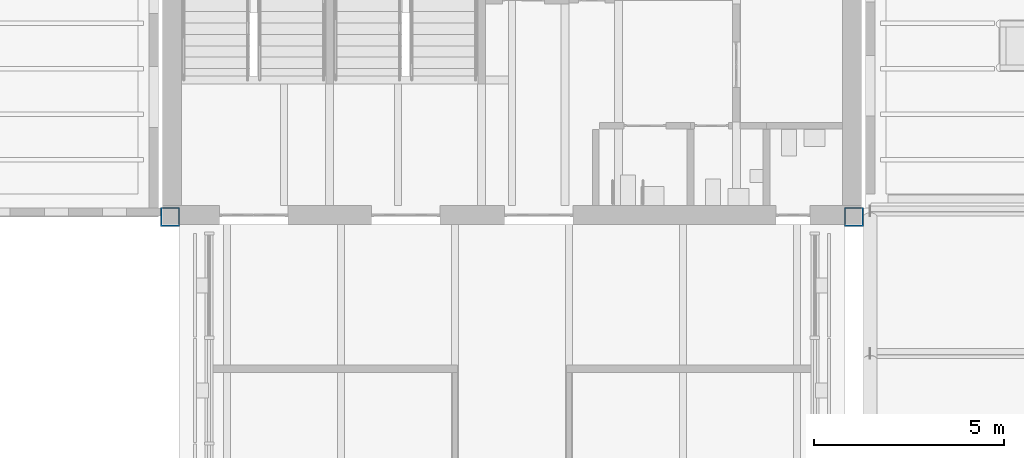
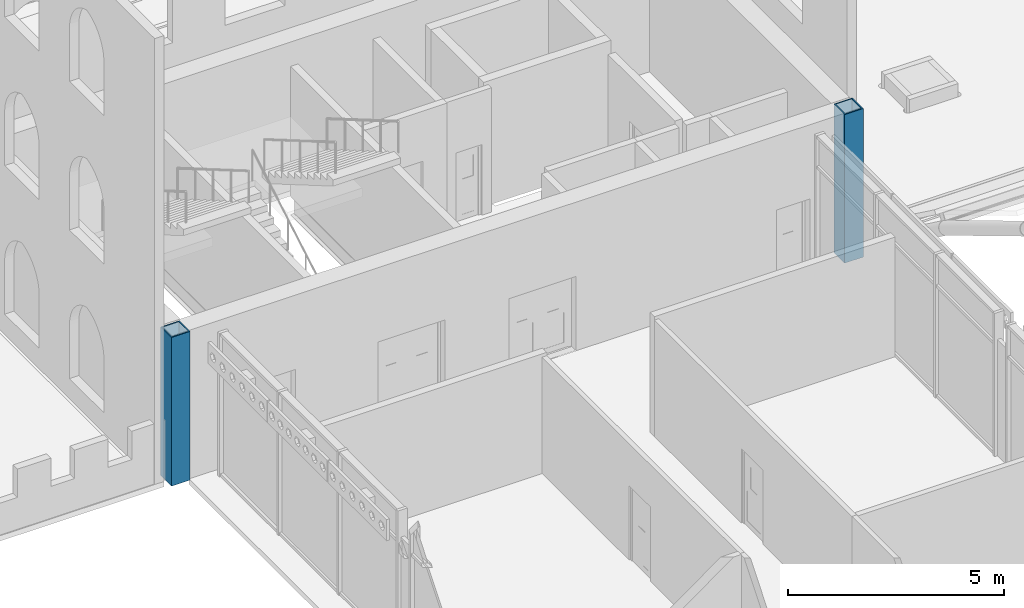
# One storey, part 7 of 153: 2 columns.
"""IFC4 building model written with IfcOpenShell, lengths in metres."""

from ifc_helpers import new_model, si_unit, direction, frame, origin, origin_2d, place, context, subcontext, project, spatial, hollow_rectangle, extrude, material, material_profile, profile_set, type_object, element, save


model = new_model("IFC4")

# Units and contexts
model_context = context("Model", 3, precision=1e-05, world=origin(), true_north=direction((0.0, 1.0)))
body_context = subcontext(model_context, "Body", "Model", "MODEL_VIEW")
ifc_project = project(units=[si_unit("LENGTHUNIT", "METRE"), si_unit("AREAUNIT", "SQUARE_METRE"), si_unit("VOLUMEUNIT", "CUBIC_METRE"), si_unit("PLANEANGLEUNIT", "RADIAN"), si_unit("MASSUNIT", "GRAM", prefix="KILO")], contexts=[model_context])

# Site, building, storey
site_placement = place(None, origin())
site = spatial("IfcSite", under=ifc_project, at=site_placement, CompositionType="ELEMENT")
building_placement = place(site_placement, origin())
building = spatial("IfcBuilding", under=site, at=building_placement, Name="Baradari Gate Terminus", CompositionType="ELEMENT")
storey_placement = place(building_placement, frame((0.0, 0.0, 11.699951171875)))
storey = spatial("IfcBuildingStorey", under=building, at=storey_placement, Name="L02", CompositionType="ELEMENT", Elevation=11.699951171875)

# Columns
ifc_material = material(Name="Steel S355", Category="steel")
ifc_material_profile = material_profile(ifc_material, hollow_rectangle(XDim=0.5, YDim=0.5, WallThickness=0.031982421875, at=origin_2d()), Name="FB 500x500x32")
ifc_profile_set = profile_set([ifc_material_profile], Name="Steel S355")
column_type = type_object("IfcColumnType", Name="Abutment end post C06 FB 500x500x32", PredefinedType="COLUMN", material=ifc_profile_set)
for number, where, z_axis, x_axis, name in (
    (1, (72.0, 81.0, 0.0), (0.0, 0.0, 1.0), (1.0, 0.0, 0.0), "C06 column 9-K L02"),
    (2, (90.0, 81.0, 0.0), (0.0, 0.0, 1.0), (1.0, 0.0, 0.0), "C06 column 11-K L02"),
):
    element("IfcColumn", number, at=place(storey_placement, frame(where, z_axis=z_axis, x_axis=x_axis)), inside=storey, type_object=column_type, Name=name, PredefinedType="COLUMN", context=body_context, shape_type="SweptSolid", body=[
        extrude(hollow_rectangle(XDim=0.5, YDim=0.5, WallThickness=0.031982421875, at=origin_2d()), origin(), (0.0, 0.0, 1.0), 4.199951171875),
    ])

save(model, "model.ifc")
